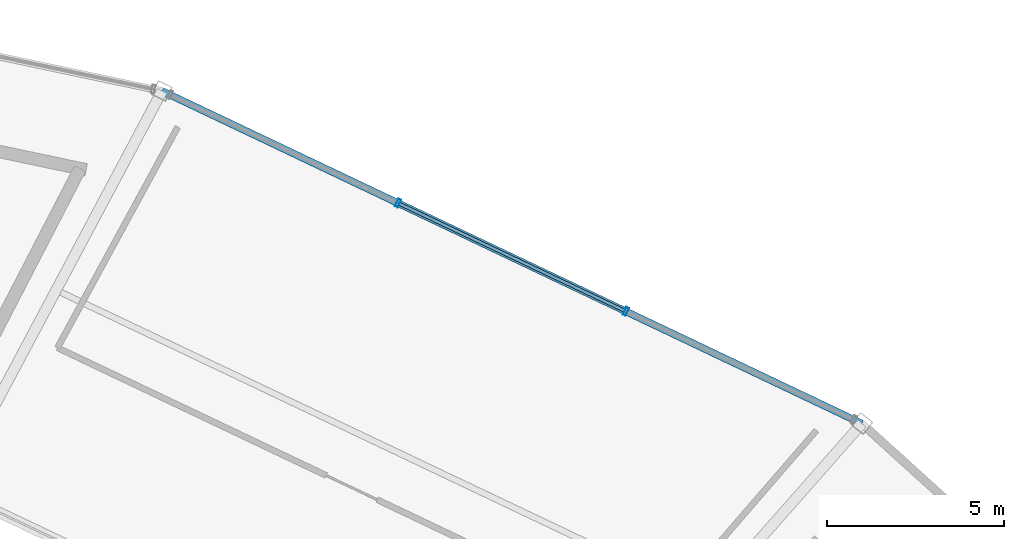
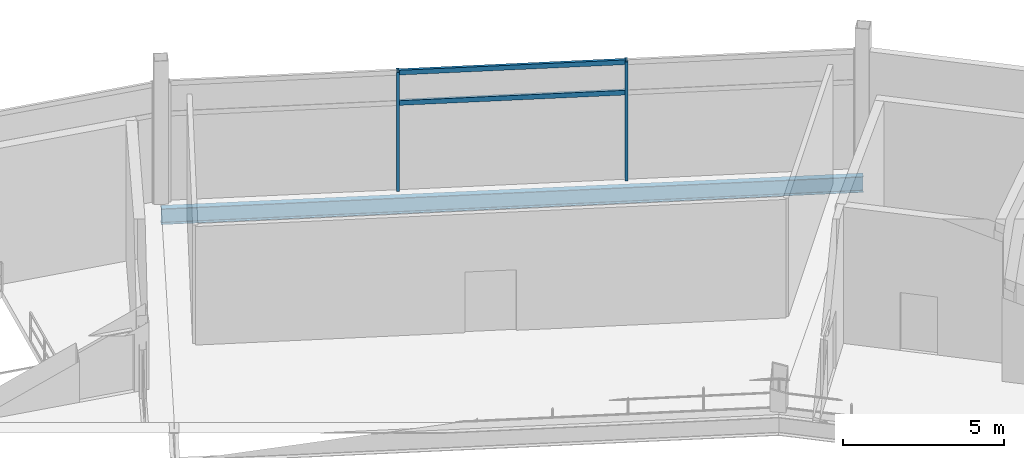
# One storey, part 67 of 103: 4 members, 1 beam, 1 element without a shape of its own.
"""IFC4 building model written with IfcOpenShell, lengths in metres."""

from ifc_helpers import new_model, si_unit, direction, frame, origin, origin_2d, place, context, subcontext, project, spatial, hollow_rectangle, i_section, extrude, material, layer, layer_set, material_profile, profile_set, type_object, element, aggregate, save


model = new_model("IFC4")

# Units and contexts
model_context = context("Model", 3, precision=1e-05, world=origin(), true_north=direction((0.0, 1.0)))
body_context = subcontext(model_context, "Body", "Model", "MODEL_VIEW")
ifc_project = project(units=[si_unit("LENGTHUNIT", "METRE"), si_unit("AREAUNIT", "SQUARE_METRE"), si_unit("VOLUMEUNIT", "CUBIC_METRE"), si_unit("PLANEANGLEUNIT", "RADIAN"), si_unit("MASSUNIT", "GRAM", prefix="KILO")], contexts=[model_context])

# Site, building, storey
site_placement = place(None, origin())
site = spatial("IfcSite", under=ifc_project, at=site_placement, CompositionType="ELEMENT")
building_placement = place(site_placement, origin())
building = spatial("IfcBuilding", under=site, at=building_placement, Name="Kazemori Nagisa Stadium", CompositionType="ELEMENT")
storey_placement = place(building_placement, frame((0.0, 0.0, 25.840087890625)))
storey = spatial("IfcBuildingStorey", under=building, at=storey_placement, Name="L05", CompositionType="ELEMENT", Elevation=25.840087890625)

# Beam
ifc_material_1 = material(Name="Steel SN490B", Category="steel")
ifc_material_profile_1 = material_profile(ifc_material_1, i_section(OverallWidth=0.199951171875, OverallDepth=0.60009765625, WebThickness=0.010986328125, FlangeThickness=0.01708984375, FilletRadius=0.012939453125, at=origin_2d()), Name="H-600x200x11x17")
ifc_profile_set_1 = profile_set([ifc_material_profile_1], Name="Steel SN490B")
beam_type = type_object("IfcBeamType", Name="Beam_BS-H600", PredefinedType="SPANDREL", material=ifc_profile_set_1)
beam_placement = place(storey_placement, frame((185.597900390625, 173.05908203125, -0.56005859375), z_axis=(-0.903215644095, 0.429187022475, 0.0), x_axis=(-0.429187022475, -0.903215644095, 0.0)))
element("IfcBeam", 1, at=beam_placement, inside=storey, type_object=beam_type, Name="Ring girder BS-H600 L05 R3-05", PredefinedType="SPANDREL", context=body_context, shape_type="SweptSolid", body=[
    extrude(i_section(OverallWidth=0.199951171875, OverallDepth=0.60009765625, WebThickness=0.010986328125, FlangeThickness=0.01708984375, FilletRadius=0.012939453125, at=origin_2d()), origin(), (0.0, 0.0, 1.0), 21.9140625),
])

# Curtain wall, members
ifc_material_2 = material(Name="Anodised aluminium 6063-T5", Category="aluminium")
ifc_layer = layer(ifc_material_2, 0.239990234375, Name="Anodised aluminium 6063-T5", Category="aluminium")
ifc_layer_set = layer_set([ifc_layer], Name="Anodised aluminium 6063-T5")
curtain_wall_type = type_object("IfcCurtainWallType", Name="CW_L05R3_107", PredefinedType="USERDEFINED", material=ifc_layer_set)
curtain_wall_placement = place(storey_placement, origin())
curtain_wall = element("IfcCurtainWall", 2, at=curtain_wall_placement, inside=storey, type_object=curtain_wall_type, Name="Unitised curtain wall CW-L05R3-107 L05", ObjectType="UNITISED CURTAIN WALL", PredefinedType="USERDEFINED")
ifc_material_3 = material(Name="Aluminium 6063-T5 anodised", Category="aluminium")
ifc_material_profile_2 = material_profile(ifc_material_3, hollow_rectangle(XDim=0.090087890625, YDim=0.239990234375, WallThickness=0.0048828125, at=origin_2d()), Name="ALU-MULL-90x240x5")
ifc_profile_set_2 = profile_set([ifc_material_profile_2], Name="Aluminium 6063-T5 anodised")
member_type_1 = type_object("IfcMemberType", Name="Mullion_M03", PredefinedType="MULLION", material=ifc_profile_set_2)
member_1_placement = place(storey_placement, frame((178.92333984375, 176.23046875, 0.0), z_axis=(0.0, 0.0, 1.0), x_axis=(-0.903215892654, 0.429186499388, 0.0)))
member_1 = element("IfcMember", 3, at=member_1_placement, type_object=member_type_1, Name="Curtain wall mullion CW-L05R3-107-M2", PredefinedType="MULLION", context=body_context, shape_type="SweptSolid", body=[
    extrude(hollow_rectangle(XDim=0.090087890625, YDim=0.239990234375, WallThickness=0.0048828125, at=origin_2d()), origin(), (0.0, 0.0, 1.0), 4.530029296875),
])
member_2_placement = place(storey_placement, frame((172.479248046875, 179.292724609375, 0.0), z_axis=(0.0, 0.0, 1.0), x_axis=(-0.903215892654, 0.429186499388, 0.0)))
member_2 = element("IfcMember", 4, at=member_2_placement, type_object=member_type_1, Name="Curtain wall mullion CW-L05R3-107-M3", PredefinedType="MULLION", context=body_context, shape_type="SweptSolid", body=[
    extrude(hollow_rectangle(XDim=0.090087890625, YDim=0.239990234375, WallThickness=0.0048828125, at=origin_2d()), origin(), (0.0, 0.0, 1.0), 4.530029296875),
])
ifc_material_profile_3 = material_profile(ifc_material_3, hollow_rectangle(XDim=0.090087890625, YDim=0.179931640625, WallThickness=0.0048828125, at=origin_2d()), Name="ALU-TRAN-90x180x5")
ifc_profile_set_3 = profile_set([ifc_material_profile_3], Name="Aluminium 6063-T5 anodised")
member_type_2 = type_object("IfcMemberType", Name="Transom_T03", PredefinedType="USERDEFINED", material=ifc_profile_set_3)
member_3_placement = place(storey_placement, frame((178.9052734375, 176.239013671875, 3.306884765625), z_axis=(-0.903201805793, 0.429216143699, 0.0), x_axis=(-0.429216143699, -0.903201805793, 0.0)))
member_3 = element("IfcMember", 5, at=member_3_placement, type_object=member_type_2, Name="Curtain wall transom CW-L05R3-107-T2-mid", ObjectType="TRANSOM", PredefinedType="USERDEFINED", context=body_context, shape_type="SweptSolid", body=[
    extrude(hollow_rectangle(XDim=0.090087890625, YDim=0.179931640625, WallThickness=0.0048828125, at=origin_2d()), origin(), (0.0, 0.0, 1.0), 7.0947265625),
])
member_4_placement = place(storey_placement, frame((178.9052734375, 176.239013671875, 4.4599609375), z_axis=(-0.903201805793, 0.429216143699, 0.0), x_axis=(-0.429216143699, -0.903201805793, 0.0)))
member_4 = element("IfcMember", 6, at=member_4_placement, type_object=member_type_2, Name="Curtain wall transom CW-L05R3-107-T2-head", ObjectType="TRANSOM", PredefinedType="USERDEFINED", context=body_context, shape_type="SweptSolid", body=[
    extrude(hollow_rectangle(XDim=0.090087890625, YDim=0.179931640625, WallThickness=0.0048828125, at=origin_2d()), origin(), (0.0, 0.0, 1.0), 7.0947265625),
])
aggregate(curtain_wall, [member_1, member_2, member_3, member_4])

save(model, "model.ifc")
